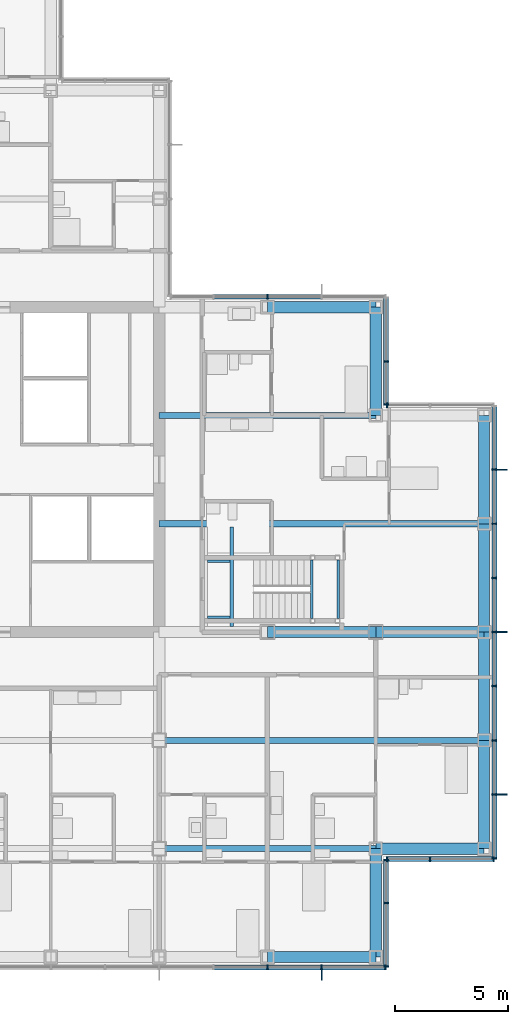
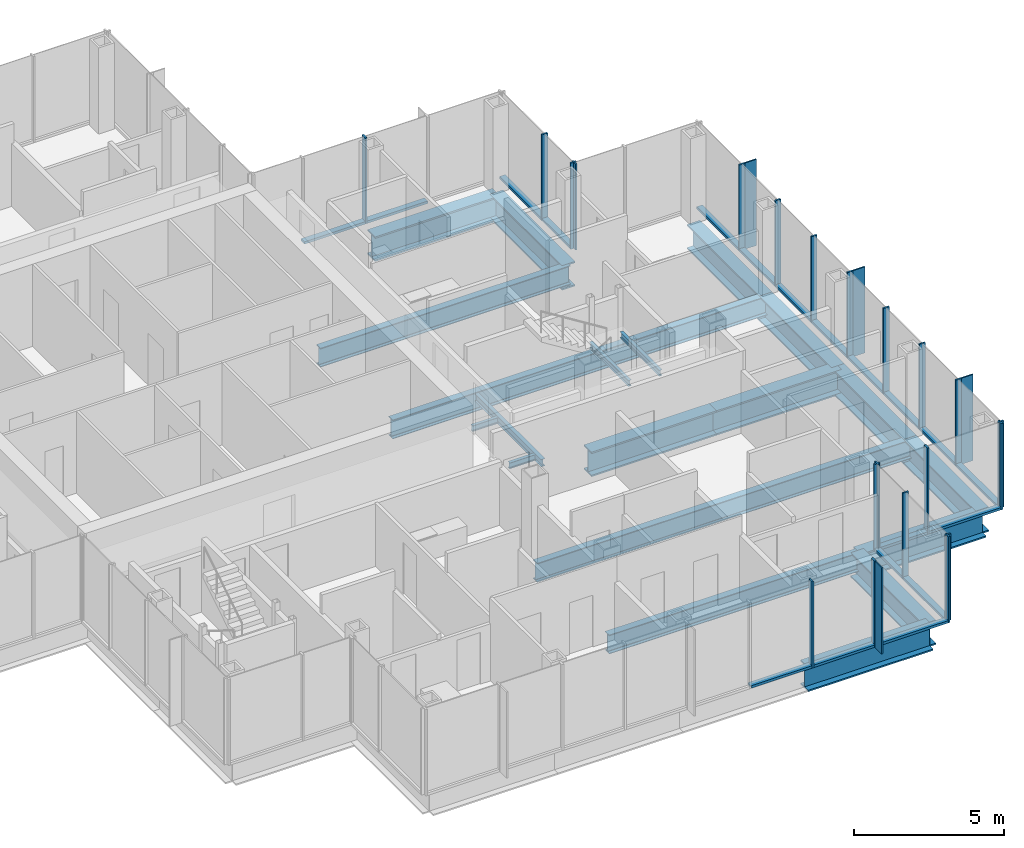
# One storey, part 8 of 20: 44 members, 20 beams, 7 elements without a shape of their own.
"""IFC4 building model written with IfcOpenShell, lengths in metres."""

from ifc_helpers import new_model, si_unit, direction, frame, origin, origin_2d, place, context, subcontext, project, spatial, rectangle, i_section, extrude, material, material_profile, profile_set, type_object, element, aggregate, save


model = new_model("IFC4")

# Units and contexts
model_context = context("Model", 3, precision=1e-05, world=origin(), true_north=direction((0.0, 1.0)))
body_context = subcontext(model_context, "Body", "Model", "MODEL_VIEW")
ifc_project = project(units=[si_unit("LENGTHUNIT", "METRE"), si_unit("AREAUNIT", "SQUARE_METRE"), si_unit("VOLUMEUNIT", "CUBIC_METRE"), si_unit("PLANEANGLEUNIT", "RADIAN"), si_unit("MASSUNIT", "GRAM", prefix="KILO")], contexts=[model_context])

# Site, building, storey
site_placement = place(None, origin())
site = spatial("IfcSite", under=ifc_project, at=site_placement, CompositionType="ELEMENT")
building_placement = place(site_placement, origin())
building = spatial("IfcBuilding", under=site, at=building_placement, Name="Kvirike Care Tower", CompositionType="ELEMENT")
storey_placement = place(building_placement, frame((0.0, 0.0, 122.5)))
storey = spatial("IfcBuildingStorey", under=building, at=storey_placement, Name="L33", CompositionType="ELEMENT", Elevation=122.5)

# Curtain wall, members
ifc_material_1 = material(Name="Anodised aluminium stick system", Category="aluminium")
curtain_wall_type = type_object("IfcCurtainWallType", Name="CW-B STICK CURTAIN WALL", PredefinedType="NOTDEFINED", material=ifc_material_1)
curtain_wall_1_placement = place(storey_placement, origin())
curtain_wall_1 = element("IfcCurtainWall", 1, at=curtain_wall_1_placement, inside=storey, type_object=curtain_wall_type, Name="Curtain wall L33 face 1", PredefinedType="NOTDEFINED")
ifc_material_2 = material(Name="Bronze anodised aluminium fin", Category="aluminium")
ifc_material_profile_1 = material_profile(ifc_material_2, rectangle(XDim=0.050048828125, YDim=0.449951171875, at=origin_2d()), Name="BRONZE FIN 450")
ifc_profile_set_1 = profile_set([ifc_material_profile_1], Name="Bronze anodised aluminium fin")
member_type_1 = type_object("IfcMemberType", Name="BRONZE FIN 450", PredefinedType="USERDEFINED", material=ifc_profile_set_1)
member_1_placement = place(storey_placement, frame((43.9951171875, 21.60009765625, 0.0), z_axis=(0.0, 0.0, 1.0), x_axis=(0.0, 1.0, 0.0)))
member_1 = element("IfcMember", 2, at=member_1_placement, type_object=member_type_1, Name="Bronze fin L33 face 1.2", ObjectType="FIN", PredefinedType="USERDEFINED", context=body_context, shape_type="SweptSolid", body=[
    extrude(rectangle(XDim=0.050048828125, YDim=0.449951171875, at=origin_2d()), origin(), (0.0, 0.0, 1.0), 3.5),
])
member_2_placement = place(storey_placement, frame((43.9951171875, 28.800048828125, 0.0), z_axis=(0.0, 0.0, 1.0), x_axis=(0.0, 1.0, 0.0)))
member_2 = element("IfcMember", 3, at=member_2_placement, type_object=member_type_1, Name="Bronze fin L33 face 1.5", ObjectType="FIN", PredefinedType="USERDEFINED", context=body_context, shape_type="SweptSolid", body=[
    extrude(rectangle(XDim=0.050048828125, YDim=0.449951171875, at=origin_2d()), origin(), (0.0, 0.0, 1.0), 3.5),
])
member_3_placement = place(storey_placement, frame((43.9951171875, 36.0, 0.0), z_axis=(0.0, 0.0, 1.0), x_axis=(0.0, 1.0, 0.0)))
member_3 = element("IfcMember", 4, at=member_3_placement, type_object=member_type_1, Name="Bronze fin L33 face 1.8", ObjectType="FIN", PredefinedType="USERDEFINED", context=body_context, shape_type="SweptSolid", body=[
    extrude(rectangle(XDim=0.050048828125, YDim=0.449951171875, at=origin_2d()), origin(), (0.0, 0.0, 1.0), 3.5),
])

# Curtain wall, member
curtain_wall_2_placement = place(storey_placement, origin())
curtain_wall_2 = element("IfcCurtainWall", 5, at=curtain_wall_2_placement, inside=storey, type_object=curtain_wall_type, Name="Curtain wall L33 face 18", PredefinedType="NOTDEFINED")
member_4_placement = place(storey_placement, frame((36.0, 13.60498046875, 0.0), z_axis=(0.0, 0.0, 1.0), x_axis=(1.0, 0.0, 0.0)))
member_4 = element("IfcMember", 6, at=member_4_placement, type_object=member_type_1, Name="Bronze fin L33 face 18.8", ObjectType="FIN", PredefinedType="USERDEFINED", context=body_context, shape_type="SweptSolid", body=[
    extrude(rectangle(XDim=0.050048828125, YDim=0.449951171875, at=origin_2d()), origin(), (0.0, 0.0, 1.0), 3.5),
])

# Member
ifc_material_3 = material(Name="Bronze anodised aluminium mullion", Category="aluminium")
ifc_material_profile_2 = material_profile(ifc_material_3, rectangle(XDim=0.06494140625, YDim=0.219970703125, at=origin_2d()), Name="CW-B MULLION 65x220")
ifc_profile_set_2 = profile_set([ifc_material_profile_2], Name="Bronze anodised aluminium mullion")
member_type_2 = type_object("IfcMemberType", Name="CW-B MULLION 65x220", PredefinedType="MULLION", material=ifc_profile_set_2)
member_5_placement = place(storey_placement, frame((43.659912109375, 18.7724609375, 0.0), z_axis=(0.0, 0.0, 1.0), x_axis=(0.0, 1.0, 0.0)))
member_5 = element("IfcMember", 7, at=member_5_placement, type_object=member_type_2, Name="CW-B mullion L33 face 1.1", PredefinedType="MULLION", context=body_context, shape_type="SweptSolid", body=[
    extrude(rectangle(XDim=0.06494140625, YDim=0.219970703125, at=origin_2d()), origin(), (0.0, 0.0, 1.0), 3.5),
])

member_6_placement = place(storey_placement, frame((43.659912109375, 21.60009765625, 0.0), z_axis=(0.0, 0.0, 1.0), x_axis=(0.0, 1.0, 0.0)))
member_6 = element("IfcMember", 8, at=member_6_placement, type_object=member_type_2, Name="CW-B mullion L33 face 1.2", PredefinedType="MULLION", context=body_context, shape_type="SweptSolid", body=[
    extrude(rectangle(XDim=0.06494140625, YDim=0.219970703125, at=origin_2d()), origin(), (0.0, 0.0, 1.0), 3.5),
])

member_7_placement = place(storey_placement, frame((43.659912109375, 24.0, 0.0), z_axis=(0.0, 0.0, 1.0), x_axis=(0.0, 1.0, 0.0)))
member_7 = element("IfcMember", 9, at=member_7_placement, type_object=member_type_2, Name="CW-B mullion L33 face 1.3", PredefinedType="MULLION", context=body_context, shape_type="SweptSolid", body=[
    extrude(rectangle(XDim=0.06494140625, YDim=0.219970703125, at=origin_2d()), origin(), (0.0, 0.0, 1.0), 3.5),
])

member_8_placement = place(storey_placement, frame((43.659912109375, 26.39990234375, 0.0), z_axis=(0.0, 0.0, 1.0), x_axis=(0.0, 1.0, 0.0)))
member_8 = element("IfcMember", 10, at=member_8_placement, type_object=member_type_2, Name="CW-B mullion L33 face 1.4", PredefinedType="MULLION", context=body_context, shape_type="SweptSolid", body=[
    extrude(rectangle(XDim=0.06494140625, YDim=0.219970703125, at=origin_2d()), origin(), (0.0, 0.0, 1.0), 3.5),
])

member_9_placement = place(storey_placement, frame((43.659912109375, 28.800048828125, 0.0), z_axis=(0.0, 0.0, 1.0), x_axis=(0.0, 1.0, 0.0)))
member_9 = element("IfcMember", 11, at=member_9_placement, type_object=member_type_2, Name="CW-B mullion L33 face 1.5", PredefinedType="MULLION", context=body_context, shape_type="SweptSolid", body=[
    extrude(rectangle(XDim=0.06494140625, YDim=0.219970703125, at=origin_2d()), origin(), (0.0, 0.0, 1.0), 3.5),
])

member_10_placement = place(storey_placement, frame((43.659912109375, 31.199951171875, 0.0), z_axis=(0.0, 0.0, 1.0), x_axis=(0.0, 1.0, 0.0)))
member_10 = element("IfcMember", 12, at=member_10_placement, type_object=member_type_2, Name="CW-B mullion L33 face 1.6", PredefinedType="MULLION", context=body_context, shape_type="SweptSolid", body=[
    extrude(rectangle(XDim=0.06494140625, YDim=0.219970703125, at=origin_2d()), origin(), (0.0, 0.0, 1.0), 3.5),
])

member_11_placement = place(storey_placement, frame((43.659912109375, 33.60009765625, 0.0), z_axis=(0.0, 0.0, 1.0), x_axis=(0.0, 1.0, 0.0)))
member_11 = element("IfcMember", 13, at=member_11_placement, type_object=member_type_2, Name="CW-B mullion L33 face 1.7", PredefinedType="MULLION", context=body_context, shape_type="SweptSolid", body=[
    extrude(rectangle(XDim=0.06494140625, YDim=0.219970703125, at=origin_2d()), origin(), (0.0, 0.0, 1.0), 3.5),
])

member_12_placement = place(storey_placement, frame((43.659912109375, 36.0, 0.0), z_axis=(0.0, 0.0, 1.0), x_axis=(0.0, 1.0, 0.0)))
member_12 = element("IfcMember", 14, at=member_12_placement, type_object=member_type_2, Name="CW-B mullion L33 face 1.8", PredefinedType="MULLION", context=body_context, shape_type="SweptSolid", body=[
    extrude(rectangle(XDim=0.06494140625, YDim=0.219970703125, at=origin_2d()), origin(), (0.0, 0.0, 1.0), 3.5),
])

# Curtain wall, member
curtain_wall_3_placement = place(storey_placement, origin())
curtain_wall_3 = element("IfcCurtainWall", 15, at=curtain_wall_3_placement, inside=storey, type_object=curtain_wall_type, Name="Curtain wall L33 face 2", PredefinedType="NOTDEFINED")
member_13_placement = place(storey_placement, frame((38.892578125, 38.860107421875, 0.0), z_axis=(0.0, 0.0, 1.0), x_axis=(-1.0, 0.0, 0.0)))
member_13 = element("IfcMember", 16, at=member_13_placement, type_object=member_type_2, Name="CW-B mullion L33 face 2.3", PredefinedType="MULLION", context=body_context, shape_type="SweptSolid", body=[
    extrude(rectangle(XDim=0.06494140625, YDim=0.219970703125, at=origin_2d()), origin(), (0.0, 0.0, 1.0), 3.5),
])
aggregate(curtain_wall_3, [member_13])

# Curtain wall, members
curtain_wall_4_placement = place(storey_placement, origin())
curtain_wall_4 = element("IfcCurtainWall", 17, at=curtain_wall_4_placement, inside=storey, type_object=curtain_wall_type, Name="Curtain wall L33 face 3", PredefinedType="NOTDEFINED")
member_14_placement = place(storey_placement, frame((38.860107421875, 38.892578125, 0.0), z_axis=(0.0, 0.0, 1.0), x_axis=(0.0, 1.0, 0.0)))
member_14 = element("IfcMember", 18, at=member_14_placement, type_object=member_type_2, Name="CW-B mullion L33 face 3.1", PredefinedType="MULLION", context=body_context, shape_type="SweptSolid", body=[
    extrude(rectangle(XDim=0.06494140625, YDim=0.219970703125, at=origin_2d()), origin(), (0.0, 0.0, 1.0), 3.5),
])
member_15_placement = place(storey_placement, frame((38.860107421875, 40.800048828125, 0.0), z_axis=(0.0, 0.0, 1.0), x_axis=(0.0, 1.0, 0.0)))
member_15 = element("IfcMember", 19, at=member_15_placement, type_object=member_type_2, Name="CW-B mullion L33 face 3.2", PredefinedType="MULLION", context=body_context, shape_type="SweptSolid", body=[
    extrude(rectangle(XDim=0.06494140625, YDim=0.219970703125, at=origin_2d()), origin(), (0.0, 0.0, 1.0), 3.5),
])

# Curtain wall, member
curtain_wall_5_placement = place(storey_placement, origin())
curtain_wall_5 = element("IfcCurtainWall", 20, at=curtain_wall_5_placement, inside=storey, type_object=curtain_wall_type, Name="Curtain wall L33 face 4", PredefinedType="NOTDEFINED")
member_16_placement = place(storey_placement, frame((33.60009765625, 43.659912109375, 0.0), z_axis=(0.0, 0.0, 1.0), x_axis=(-1.0, 0.0, 0.0)))
member_16 = element("IfcMember", 21, at=member_16_placement, type_object=member_type_2, Name="CW-B mullion L33 face 4.3", PredefinedType="MULLION", context=body_context, shape_type="SweptSolid", body=[
    extrude(rectangle(XDim=0.06494140625, YDim=0.219970703125, at=origin_2d()), origin(), (0.0, 0.0, 1.0), 3.5),
])

# Member
member_17_placement = place(storey_placement, frame((33.60009765625, 13.93994140625, 0.0), z_axis=(0.0, 0.0, 1.0), x_axis=(1.0, 0.0, 0.0)))
member_17 = element("IfcMember", 22, at=member_17_placement, type_object=member_type_2, Name="CW-B mullion L33 face 18.7", PredefinedType="MULLION", context=body_context, shape_type="SweptSolid", body=[
    extrude(rectangle(XDim=0.06494140625, YDim=0.219970703125, at=origin_2d()), origin(), (0.0, 0.0, 1.0), 3.5),
])

member_18_placement = place(storey_placement, frame((36.0, 13.93994140625, 0.0), z_axis=(0.0, 0.0, 1.0), x_axis=(1.0, 0.0, 0.0)))
member_18 = element("IfcMember", 23, at=member_18_placement, type_object=member_type_2, Name="CW-B mullion L33 face 18.8", PredefinedType="MULLION", context=body_context, shape_type="SweptSolid", body=[
    extrude(rectangle(XDim=0.06494140625, YDim=0.219970703125, at=origin_2d()), origin(), (0.0, 0.0, 1.0), 3.5),
])

member_19_placement = place(storey_placement, frame((38.827392578125, 13.93994140625, 0.0), z_axis=(0.0, 0.0, 1.0), x_axis=(1.0, 0.0, 0.0)))
member_19 = element("IfcMember", 24, at=member_19_placement, type_object=member_type_2, Name="CW-B mullion L33 face 18.9", PredefinedType="MULLION", context=body_context, shape_type="SweptSolid", body=[
    extrude(rectangle(XDim=0.06494140625, YDim=0.219970703125, at=origin_2d()), origin(), (0.0, 0.0, 1.0), 3.5),
])

# Curtain wall, members
curtain_wall_6_placement = place(storey_placement, origin())
curtain_wall_6 = element("IfcCurtainWall", 25, at=curtain_wall_6_placement, inside=storey, type_object=curtain_wall_type, Name="Curtain wall L33 face 19", PredefinedType="NOTDEFINED")
member_20_placement = place(storey_placement, frame((38.860107421875, 13.972412109375, 0.0), z_axis=(0.0, 0.0, 1.0), x_axis=(0.0, 1.0, 0.0)))
member_20 = element("IfcMember", 26, at=member_20_placement, type_object=member_type_2, Name="CW-B mullion L33 face 19.1", PredefinedType="MULLION", context=body_context, shape_type="SweptSolid", body=[
    extrude(rectangle(XDim=0.06494140625, YDim=0.219970703125, at=origin_2d()), origin(), (0.0, 0.0, 1.0), 3.5),
])
member_21_placement = place(storey_placement, frame((38.860107421875, 16.800048828125, 0.0), z_axis=(0.0, 0.0, 1.0), x_axis=(0.0, 1.0, 0.0)))
member_21 = element("IfcMember", 27, at=member_21_placement, type_object=member_type_2, Name="CW-B mullion L33 face 19.2", PredefinedType="MULLION", context=body_context, shape_type="SweptSolid", body=[
    extrude(rectangle(XDim=0.06494140625, YDim=0.219970703125, at=origin_2d()), origin(), (0.0, 0.0, 1.0), 3.5),
])
member_22_placement = place(storey_placement, frame((38.860107421875, 18.70751953125, 0.0), z_axis=(0.0, 0.0, 1.0), x_axis=(0.0, 1.0, 0.0)))
member_22 = element("IfcMember", 28, at=member_22_placement, type_object=member_type_2, Name="CW-B mullion L33 face 19.3", PredefinedType="MULLION", context=body_context, shape_type="SweptSolid", body=[
    extrude(rectangle(XDim=0.06494140625, YDim=0.219970703125, at=origin_2d()), origin(), (0.0, 0.0, 1.0), 3.5),
])

curtain_wall_7_placement = place(storey_placement, origin())
curtain_wall_7 = element("IfcCurtainWall", 29, at=curtain_wall_7_placement, inside=storey, type_object=curtain_wall_type, Name="Curtain wall L33 face 20", PredefinedType="NOTDEFINED")
member_23_placement = place(storey_placement, frame((38.892578125, 18.739990234375, 0.0), z_axis=(0.0, 0.0, 1.0), x_axis=(1.0, 0.0, 0.0)))
member_23 = element("IfcMember", 30, at=member_23_placement, type_object=member_type_2, Name="CW-B mullion L33 face 20.1", PredefinedType="MULLION", context=body_context, shape_type="SweptSolid", body=[
    extrude(rectangle(XDim=0.06494140625, YDim=0.219970703125, at=origin_2d()), origin(), (0.0, 0.0, 1.0), 3.5),
])
member_24_placement = place(storey_placement, frame((40.800048828125, 18.739990234375, 0.0), z_axis=(0.0, 0.0, 1.0), x_axis=(1.0, 0.0, 0.0)))
member_24 = element("IfcMember", 31, at=member_24_placement, type_object=member_type_2, Name="CW-B mullion L33 face 20.2", PredefinedType="MULLION", context=body_context, shape_type="SweptSolid", body=[
    extrude(rectangle(XDim=0.06494140625, YDim=0.219970703125, at=origin_2d()), origin(), (0.0, 0.0, 1.0), 3.5),
])
member_25_placement = place(storey_placement, frame((43.62744140625, 18.739990234375, 0.0), z_axis=(0.0, 0.0, 1.0), x_axis=(1.0, 0.0, 0.0)))
member_25 = element("IfcMember", 32, at=member_25_placement, type_object=member_type_2, Name="CW-B mullion L33 face 20.3", PredefinedType="MULLION", context=body_context, shape_type="SweptSolid", body=[
    extrude(rectangle(XDim=0.06494140625, YDim=0.219970703125, at=origin_2d()), origin(), (0.0, 0.0, 1.0), 3.5),
])

# Member
ifc_material_4 = material(Name="Bronze anodised aluminium transom", Category="aluminium")
ifc_material_profile_3 = material_profile(ifc_material_4, rectangle(XDim=0.219970703125, YDim=0.10009765625, at=origin_2d()), Name="CW-B TRANSOM 220x100")
ifc_profile_set_3 = profile_set([ifc_material_profile_3], Name="Bronze anodised aluminium transom")
member_type_3 = type_object("IfcMemberType", Name="CW-B TRANSOM 220x100", PredefinedType="USERDEFINED", material=ifc_profile_set_3)
member_26_placement = place(storey_placement, frame((43.659912109375, 18.804931640625, 0.050048828125), z_axis=(0.0, 1.0, 0.0), x_axis=(-1.0, 0.0, 0.0)))
member_26 = element("IfcMember", 33, at=member_26_placement, type_object=member_type_3, Name="CW-B sill transom L33 face 1.1", ObjectType="TRANSOM", PredefinedType="USERDEFINED", context=body_context, shape_type="SweptSolid", body=[
    extrude(rectangle(XDim=0.219970703125, YDim=0.10009765625, at=origin_2d()), origin(), (0.0, 0.0, 1.0), 2.762451171875),
])

member_27_placement = place(storey_placement, frame((43.659912109375, 21.632568359375, 0.050048828125), z_axis=(0.0, 1.0, 0.0), x_axis=(-1.0, 0.0, 0.0)))
member_27 = element("IfcMember", 34, at=member_27_placement, type_object=member_type_3, Name="CW-B sill transom L33 face 1.2", ObjectType="TRANSOM", PredefinedType="USERDEFINED", context=body_context, shape_type="SweptSolid", body=[
    extrude(rectangle(XDim=0.219970703125, YDim=0.10009765625, at=origin_2d()), origin(), (0.0, 0.0, 1.0), 2.3349609375),
])

member_28_placement = place(storey_placement, frame((43.659912109375, 24.032470703125, 0.050048828125), z_axis=(0.0, 1.0, 0.0), x_axis=(-1.0, 0.0, 0.0)))
member_28 = element("IfcMember", 35, at=member_28_placement, type_object=member_type_3, Name="CW-B sill transom L33 face 1.3", ObjectType="TRANSOM", PredefinedType="USERDEFINED", context=body_context, shape_type="SweptSolid", body=[
    extrude(rectangle(XDim=0.219970703125, YDim=0.10009765625, at=origin_2d()), origin(), (0.0, 0.0, 1.0), 2.3349609375),
])

member_29_placement = place(storey_placement, frame((43.659912109375, 26.4326171875, 0.050048828125), z_axis=(0.0, 1.0, 0.0), x_axis=(-1.0, 0.0, 0.0)))
member_29 = element("IfcMember", 36, at=member_29_placement, type_object=member_type_3, Name="CW-B sill transom L33 face 1.4", ObjectType="TRANSOM", PredefinedType="USERDEFINED", context=body_context, shape_type="SweptSolid", body=[
    extrude(rectangle(XDim=0.219970703125, YDim=0.10009765625, at=origin_2d()), origin(), (0.0, 0.0, 1.0), 2.3349609375),
])

member_30_placement = place(storey_placement, frame((43.659912109375, 28.83251953125, 0.050048828125), z_axis=(0.0, 1.0, 0.0), x_axis=(-1.0, 0.0, 0.0)))
member_30 = element("IfcMember", 37, at=member_30_placement, type_object=member_type_3, Name="CW-B sill transom L33 face 1.5", ObjectType="TRANSOM", PredefinedType="USERDEFINED", context=body_context, shape_type="SweptSolid", body=[
    extrude(rectangle(XDim=0.219970703125, YDim=0.10009765625, at=origin_2d()), origin(), (0.0, 0.0, 1.0), 2.3349609375),
])

member_31_placement = place(storey_placement, frame((43.659912109375, 31.232421875, 0.050048828125), z_axis=(0.0, 1.0, 0.0), x_axis=(-1.0, 0.0, 0.0)))
member_31 = element("IfcMember", 38, at=member_31_placement, type_object=member_type_3, Name="CW-B sill transom L33 face 1.6", ObjectType="TRANSOM", PredefinedType="USERDEFINED", context=body_context, shape_type="SweptSolid", body=[
    extrude(rectangle(XDim=0.219970703125, YDim=0.10009765625, at=origin_2d()), origin(), (0.0, 0.0, 1.0), 2.3349609375),
])

member_32_placement = place(storey_placement, frame((43.659912109375, 33.632568359375, 0.050048828125), z_axis=(0.0, 1.0, 0.0), x_axis=(-1.0, 0.0, 0.0)))
member_32 = element("IfcMember", 39, at=member_32_placement, type_object=member_type_3, Name="CW-B sill transom L33 face 1.7", ObjectType="TRANSOM", PredefinedType="USERDEFINED", context=body_context, shape_type="SweptSolid", body=[
    extrude(rectangle(XDim=0.219970703125, YDim=0.10009765625, at=origin_2d()), origin(), (0.0, 0.0, 1.0), 2.3349609375),
])

member_33_placement = place(storey_placement, frame((43.659912109375, 36.032470703125, 0.050048828125), z_axis=(0.0, 1.0, 0.0), x_axis=(-1.0, 0.0, 0.0)))
member_33 = element("IfcMember", 40, at=member_33_placement, type_object=member_type_3, Name="CW-B sill transom L33 face 1.8", ObjectType="TRANSOM", PredefinedType="USERDEFINED", context=body_context, shape_type="SweptSolid", body=[
    extrude(rectangle(XDim=0.219970703125, YDim=0.10009765625, at=origin_2d()), origin(), (0.0, 0.0, 1.0), 2.762451171875),
])

aggregate(curtain_wall_1, [member_5, member_6, member_1, member_7, member_8, member_9, member_2, member_10, member_11, member_12, member_3, member_26, member_27, member_28, member_29, member_30, member_31, member_32, member_33])

member_34_placement = place(storey_placement, frame((38.860107421875, 38.925048828125, 0.050048828125), z_axis=(0.0, 1.0, 0.0), x_axis=(-1.0, 0.0, 0.0)))
member_34 = element("IfcMember", 41, at=member_34_placement, type_object=member_type_3, Name="CW-B sill transom L33 face 3.1", ObjectType="TRANSOM", PredefinedType="USERDEFINED", context=body_context, shape_type="SweptSolid", body=[
    extrude(rectangle(XDim=0.219970703125, YDim=0.10009765625, at=origin_2d()), origin(), (0.0, 0.0, 1.0), 1.842529296875),
])

member_35_placement = place(storey_placement, frame((38.860107421875, 40.83251953125, 0.050048828125), z_axis=(0.0, 1.0, 0.0), x_axis=(-1.0, 0.0, 0.0)))
member_35 = element("IfcMember", 42, at=member_35_placement, type_object=member_type_3, Name="CW-B sill transom L33 face 3.2", ObjectType="TRANSOM", PredefinedType="USERDEFINED", context=body_context, shape_type="SweptSolid", body=[
    extrude(rectangle(XDim=0.219970703125, YDim=0.10009765625, at=origin_2d()), origin(), (0.0, 0.0, 1.0), 2.762451171875),
])

aggregate(curtain_wall_4, [member_14, member_15, member_34, member_35])

member_36_placement = place(storey_placement, frame((35.967529296875, 43.659912109375, 0.050048828125), z_axis=(-1.0, 0.0, 0.0), x_axis=(0.0, -1.0, 0.0)))
member_36 = element("IfcMember", 43, at=member_36_placement, type_object=member_type_3, Name="CW-B sill transom L33 face 4.2", ObjectType="TRANSOM", PredefinedType="USERDEFINED", context=body_context, shape_type="SweptSolid", body=[
    extrude(rectangle(XDim=0.219970703125, YDim=0.10009765625, at=origin_2d()), origin(), (0.0, 0.0, 1.0), 2.3349609375),
])

member_37_placement = place(storey_placement, frame((33.5673828125, 43.659912109375, 0.050048828125), z_axis=(-1.0, 0.0, 0.0), x_axis=(0.0, -1.0, 0.0)))
member_37 = element("IfcMember", 44, at=member_37_placement, type_object=member_type_3, Name="CW-B sill transom L33 face 4.3", ObjectType="TRANSOM", PredefinedType="USERDEFINED", context=body_context, shape_type="SweptSolid", body=[
    extrude(rectangle(XDim=0.219970703125, YDim=0.10009765625, at=origin_2d()), origin(), (0.0, 0.0, 1.0), 2.3349609375),
])

aggregate(curtain_wall_5, [member_16, member_36, member_37])

member_38_placement = place(storey_placement, frame((31.232421875, 13.93994140625, 0.050048828125), z_axis=(1.0, 0.0, 0.0), x_axis=(0.0, 1.0, 0.0)))
member_38 = element("IfcMember", 45, at=member_38_placement, type_object=member_type_3, Name="CW-B sill transom L33 face 18.6", ObjectType="TRANSOM", PredefinedType="USERDEFINED", context=body_context, shape_type="SweptSolid", body=[
    extrude(rectangle(XDim=0.219970703125, YDim=0.10009765625, at=origin_2d()), origin(), (0.0, 0.0, 1.0), 2.3349609375),
])

member_39_placement = place(storey_placement, frame((33.632568359375, 13.93994140625, 0.050048828125), z_axis=(1.0, 0.0, 0.0), x_axis=(0.0, 1.0, 0.0)))
member_39 = element("IfcMember", 46, at=member_39_placement, type_object=member_type_3, Name="CW-B sill transom L33 face 18.7", ObjectType="TRANSOM", PredefinedType="USERDEFINED", context=body_context, shape_type="SweptSolid", body=[
    extrude(rectangle(XDim=0.219970703125, YDim=0.10009765625, at=origin_2d()), origin(), (0.0, 0.0, 1.0), 2.3349609375),
])

member_40_placement = place(storey_placement, frame((36.032470703125, 13.93994140625, 0.050048828125), z_axis=(1.0, 0.0, 0.0), x_axis=(0.0, 1.0, 0.0)))
member_40 = element("IfcMember", 47, at=member_40_placement, type_object=member_type_3, Name="CW-B sill transom L33 face 18.8", ObjectType="TRANSOM", PredefinedType="USERDEFINED", context=body_context, shape_type="SweptSolid", body=[
    extrude(rectangle(XDim=0.219970703125, YDim=0.10009765625, at=origin_2d()), origin(), (0.0, 0.0, 1.0), 2.762451171875),
])

aggregate(curtain_wall_2, [member_17, member_18, member_4, member_19, member_38, member_39, member_40])

member_41_placement = place(storey_placement, frame((38.860107421875, 14.0048828125, 0.050048828125), z_axis=(0.0, 1.0, 0.0), x_axis=(-1.0, 0.0, 0.0)))
member_41 = element("IfcMember", 48, at=member_41_placement, type_object=member_type_3, Name="CW-B sill transom L33 face 19.1", ObjectType="TRANSOM", PredefinedType="USERDEFINED", context=body_context, shape_type="SweptSolid", body=[
    extrude(rectangle(XDim=0.219970703125, YDim=0.10009765625, at=origin_2d()), origin(), (0.0, 0.0, 1.0), 2.7626953125),
])

member_42_placement = place(storey_placement, frame((38.860107421875, 16.83251953125, 0.050048828125), z_axis=(0.0, 1.0, 0.0), x_axis=(-1.0, 0.0, 0.0)))
member_42 = element("IfcMember", 49, at=member_42_placement, type_object=member_type_3, Name="CW-B sill transom L33 face 19.2", ObjectType="TRANSOM", PredefinedType="USERDEFINED", context=body_context, shape_type="SweptSolid", body=[
    extrude(rectangle(XDim=0.219970703125, YDim=0.10009765625, at=origin_2d()), origin(), (0.0, 0.0, 1.0), 1.842529296875),
])

aggregate(curtain_wall_6, [member_20, member_21, member_22, member_41, member_42])

member_43_placement = place(storey_placement, frame((38.925048828125, 18.739990234375, 0.050048828125), z_axis=(1.0, 0.0, 0.0), x_axis=(0.0, 1.0, 0.0)))
member_43 = element("IfcMember", 50, at=member_43_placement, type_object=member_type_3, Name="CW-B sill transom L33 face 20.1", ObjectType="TRANSOM", PredefinedType="USERDEFINED", context=body_context, shape_type="SweptSolid", body=[
    extrude(rectangle(XDim=0.219970703125, YDim=0.10009765625, at=origin_2d()), origin(), (0.0, 0.0, 1.0), 1.842529296875),
])

member_44_placement = place(storey_placement, frame((40.83251953125, 18.739990234375, 0.050048828125), z_axis=(1.0, 0.0, 0.0), x_axis=(0.0, 1.0, 0.0)))
member_44 = element("IfcMember", 51, at=member_44_placement, type_object=member_type_3, Name="CW-B sill transom L33 face 20.2", ObjectType="TRANSOM", PredefinedType="USERDEFINED", context=body_context, shape_type="SweptSolid", body=[
    extrude(rectangle(XDim=0.219970703125, YDim=0.10009765625, at=origin_2d()), origin(), (0.0, 0.0, 1.0), 2.762451171875),
])

aggregate(curtain_wall_7, [member_23, member_24, member_25, member_43, member_44])

# Beams
ifc_material_5 = material(Name="Steel S355", Category="steel")
ifc_material_profile_4 = material_profile(ifc_material_5, i_section(OverallWidth=0.26806640625, OverallDepth=0.77001953125, WebThickness=0.015625, FlangeThickness=0.025390625, FilletRadius=0.01708984375, at=origin_2d()), Name="IPE 750x196")
ifc_profile_set_4 = profile_set([ifc_material_profile_4], Name="Steel S355")
beam_type_1 = type_object("IfcBeamType", Name="FLOOR BEAM IPE 750x196", PredefinedType="BEAM", material=ifc_profile_set_4)
beam_1_placement = place(storey_placement, frame((28.800048828125, 19.199951171875, -0.554931640625), z_axis=(1.0, 0.0, 0.0), x_axis=(0.0, 1.0, 0.0)))
element("IfcBeam", 52, at=beam_1_placement, inside=storey, type_object=beam_type_1, Name="Floor Beam E9-E11 L33", PredefinedType="BEAM", context=body_context, shape_type="SweptSolid", body=[
    extrude(i_section(OverallWidth=0.26806640625, OverallDepth=0.77001953125, WebThickness=0.015625, FlangeThickness=0.025390625, FilletRadius=0.01708984375, at=origin_2d()), origin(), (0.0, 0.0, 1.0), 9.599853515625),
])
for number, where, z_axis, x_axis, name in (
    (53, (28.800048828125, 24.0, -0.554931640625), (1.0, 0.0, 0.0), (0.0, 1.0, 0.0), "Floor Beam F9-F12 L33"),
    (54, (28.800048828125, 33.60009765625, -0.554931640625), (1.0, 0.0, 0.0), (0.0, 1.0, 0.0), "Floor Beam H9-H12 L33"),
):
    element("IfcBeam", number, at=place(storey_placement, frame(where, z_axis=z_axis, x_axis=x_axis)), inside=storey, type_object=beam_type_1, Name=name, PredefinedType="BEAM", context=body_context, shape_type="SweptSolid", body=[
        extrude(i_section(OverallWidth=0.26806640625, OverallDepth=0.77001953125, WebThickness=0.015625, FlangeThickness=0.025390625, FilletRadius=0.01708984375, at=origin_2d()), origin(), (0.0, 0.0, 1.0), 14.39990234375),
    ])
beam_2_placement = place(storey_placement, frame((28.800048828125, 38.39990234375, -0.554931640625), z_axis=(1.0, 0.0, 0.0), x_axis=(0.0, 1.0, 0.0)))
element("IfcBeam", 55, at=beam_2_placement, inside=storey, type_object=beam_type_1, Name="Floor Beam J9-J11 L33", PredefinedType="BEAM", context=body_context, shape_type="SweptSolid", body=[
    extrude(i_section(OverallWidth=0.26806640625, OverallDepth=0.77001953125, WebThickness=0.015625, FlangeThickness=0.025390625, FilletRadius=0.01708984375, at=origin_2d()), origin(), (0.0, 0.0, 1.0), 9.599853515625),
])
ifc_material_6 = material(Name="Steel S355", Category="steel")
ifc_material_profile_5 = material_profile(ifc_material_6, i_section(OverallWidth=0.5, OverallDepth=1.0, WebThickness=0.030029296875, FlangeThickness=0.06005859375, at=origin_2d()), Name="PG 1000x500x30x60")
ifc_profile_set_5 = profile_set([ifc_material_profile_5], Name="Steel S355")
beam_type_2 = type_object("IfcBeamType", Name="FRAME BEAM PG 1000x500x30x60", PredefinedType="BEAM", material=ifc_profile_set_5)
beam_3_placement = place(storey_placement, frame((33.60009765625, 28.800048828125, -0.669921875), z_axis=(1.0, 0.0, 0.0), x_axis=(0.0, 1.0, 0.0)))
element("IfcBeam", 56, at=beam_3_placement, inside=storey, type_object=beam_type_2, Name="Frame Beam G10-G11 L33", PredefinedType="BEAM", context=body_context, shape_type="SweptSolid", body=[
    extrude(i_section(OverallWidth=0.5, OverallDepth=1.0, WebThickness=0.030029296875, FlangeThickness=0.06005859375, at=origin_2d()), origin(), (0.0, 0.0, 1.0), 4.7998046875),
])
beam_4_placement = place(storey_placement, frame((38.39990234375, 28.800048828125, -0.669921875), z_axis=(1.0, 0.0, 0.0), x_axis=(0.0, 1.0, 0.0)))
element("IfcBeam", 57, at=beam_4_placement, inside=storey, type_object=beam_type_2, Name="Frame Beam G11-G12 L33", PredefinedType="BEAM", context=body_context, shape_type="SweptSolid", body=[
    extrude(i_section(OverallWidth=0.5, OverallDepth=1.0, WebThickness=0.030029296875, FlangeThickness=0.06005859375, at=origin_2d()), origin(), (0.0, 0.0, 1.0), 4.800048828125),
])
ifc_material_7 = material(Name="Steel S355", Category="steel")
ifc_material_profile_6 = material_profile(ifc_material_7, i_section(OverallWidth=0.5, OverallDepth=1.0, WebThickness=0.030029296875, FlangeThickness=0.06005859375, at=origin_2d()), Name="PG 1000x500x30x60")
ifc_profile_set_6 = profile_set([ifc_material_profile_6], Name="Steel S355")
beam_type_3 = type_object("IfcBeamType", Name="SPANDREL PG 1000x500x30x60", PredefinedType="SPANDREL", material=ifc_profile_set_6)
beam_5_placement = place(storey_placement, frame((33.60009765625, 14.39990234375, -0.669921875), z_axis=(1.0, 0.0, 0.0), x_axis=(0.0, 1.0, 0.0)))
element("IfcBeam", 58, at=beam_5_placement, inside=storey, type_object=beam_type_3, Name="Spandrel D10-D11 L33", PredefinedType="SPANDREL", context=body_context, shape_type="SweptSolid", body=[
    extrude(i_section(OverallWidth=0.5, OverallDepth=1.0, WebThickness=0.030029296875, FlangeThickness=0.06005859375, at=origin_2d()), origin(), (0.0, 0.0, 1.0), 4.7998046875),
])
beam_6_placement = place(storey_placement, frame((38.39990234375, 19.199951171875, -0.669921875), z_axis=(1.0, 0.0, 0.0), x_axis=(0.0, 1.0, 0.0)))
element("IfcBeam", 59, at=beam_6_placement, inside=storey, type_object=beam_type_3, Name="Spandrel E11-E12 L33", PredefinedType="SPANDREL", context=body_context, shape_type="SweptSolid", body=[
    extrude(i_section(OverallWidth=0.5, OverallDepth=1.0, WebThickness=0.030029296875, FlangeThickness=0.06005859375, at=origin_2d()), origin(), (0.0, 0.0, 1.0), 4.800048828125),
])
beam_7_placement = place(storey_placement, frame((33.60009765625, 43.199951171875, -0.669921875), z_axis=(1.0, 0.0, 0.0), x_axis=(0.0, 1.0, 0.0)))
element("IfcBeam", 60, at=beam_7_placement, inside=storey, type_object=beam_type_3, Name="Spandrel K10-K11 L33", PredefinedType="SPANDREL", context=body_context, shape_type="SweptSolid", body=[
    extrude(i_section(OverallWidth=0.5, OverallDepth=1.0, WebThickness=0.030029296875, FlangeThickness=0.06005859375, at=origin_2d()), origin(), (0.0, 0.0, 1.0), 4.7998046875),
])
for number, where, z_axis, x_axis, name in (
    (61, (38.39990234375, 14.39990234375, -0.669921875), (0.0, 1.0, 0.0), (-1.0, 0.0, 0.0), "Spandrel D11-E11 L33"),
    (62, (38.39990234375, 38.39990234375, -0.669921875), (0.0, 1.0, 0.0), (-1.0, 0.0, 0.0), "Spandrel J11-K11 L33"),
    (63, (43.199951171875, 19.199951171875, -0.669921875), (0.0, 1.0, 0.0), (-1.0, 0.0, 0.0), "Spandrel E12-F12 L33"),
    (64, (43.199951171875, 24.0, -0.669921875), (0.0, 1.0, 0.0), (-1.0, 0.0, 0.0), "Spandrel F12-G12 L33"),
    (65, (43.199951171875, 28.800048828125, -0.669921875), (0.0, 1.0, 0.0), (-1.0, 0.0, 0.0), "Spandrel G12-H12 L33"),
):
    element("IfcBeam", number, at=place(storey_placement, frame(where, z_axis=z_axis, x_axis=x_axis)), inside=storey, type_object=beam_type_3, Name=name, PredefinedType="SPANDREL", context=body_context, shape_type="SweptSolid", body=[
        extrude(i_section(OverallWidth=0.5, OverallDepth=1.0, WebThickness=0.030029296875, FlangeThickness=0.06005859375, at=origin_2d()), origin(), (0.0, 0.0, 1.0), 4.800048828125),
    ])
beam_8_placement = place(storey_placement, frame((43.199951171875, 33.60009765625, -0.669921875), z_axis=(0.0, 1.0, 0.0), x_axis=(-1.0, 0.0, 0.0)))
element("IfcBeam", 66, at=beam_8_placement, inside=storey, type_object=beam_type_3, Name="Spandrel H12-J12 L33", PredefinedType="SPANDREL", context=body_context, shape_type="SweptSolid", body=[
    extrude(i_section(OverallWidth=0.5, OverallDepth=1.0, WebThickness=0.030029296875, FlangeThickness=0.06005859375, at=origin_2d()), origin(), (0.0, 0.0, 1.0), 4.7998046875),
])
ifc_material_8 = material(Name="Steel S355", Category="steel")
ifc_material_profile_7 = material_profile(ifc_material_8, i_section(OverallWidth=0.1201171875, OverallDepth=0.239990234375, WebThickness=0.006103515625, FlangeThickness=0.009765625, FilletRadius=0.014892578125, at=origin_2d()), Name="IPE 240")
ifc_profile_set_7 = profile_set([ifc_material_profile_7], Name="Steel S355")
beam_type_4 = type_object("IfcBeamType", Name="STAIR LANDING BEAM IPE 240", PredefinedType="BEAM", material=ifc_profile_set_7)
for number, where, z_axis, x_axis, name in (
    (67, (36.739990234375, 29.39990234375, 1.429931640625), (0.0, 1.0, 0.0), (-1.0, 0.0, 0.0), "Stair 2 landing beam back L33"),
    (68, (35.56005859375, 29.39990234375, 1.429931640625), (0.0, 1.0, 0.0), (-1.0, 0.0, 0.0), "Stair 2 landing beam front L33"),
):
    element("IfcBeam", number, at=place(storey_placement, frame(where, z_axis=z_axis, x_axis=x_axis)), inside=storey, type_object=beam_type_4, Name=name, PredefinedType="BEAM", context=body_context, shape_type="SweptSolid", body=[
        extrude(i_section(OverallWidth=0.1201171875, OverallDepth=0.239990234375, WebThickness=0.006103515625, FlangeThickness=0.009765625, FilletRadius=0.014892578125, at=origin_2d()), origin(), (0.0, 0.0, 1.0), 2.60009765625),
    ])
for number, where, z_axis, x_axis, name in (
    (69, (31.949951171875, 29.4599609375, -0.320068359375), (-1.0, 0.0, 0.0), (0.0, -1.0, 0.0), "Stair 2 landing edge beam 1 L33"),
    (70, (31.949951171875, 31.93994140625, -0.320068359375), (-1.0, 0.0, 0.0), (0.0, -1.0, 0.0), "Stair 2 landing edge beam 2 L33"),
):
    element("IfcBeam", number, at=place(storey_placement, frame(where, z_axis=z_axis, x_axis=x_axis)), inside=storey, type_object=beam_type_4, Name=name, PredefinedType="BEAM", context=body_context, shape_type="SweptSolid", body=[
        extrude(i_section(OverallWidth=0.1201171875, OverallDepth=0.239990234375, WebThickness=0.006103515625, FlangeThickness=0.009765625, FilletRadius=0.014892578125, at=origin_2d()), origin(), (0.0, 0.0, 1.0), 1.0),
    ])
ifc_material_9 = material(Name="Steel S355", Category="steel")
ifc_material_profile_8 = material_profile(ifc_material_9, i_section(OverallWidth=0.14990234375, OverallDepth=0.300048828125, WebThickness=0.007080078125, FlangeThickness=0.0107421875, FilletRadius=0.014892578125, at=origin_2d()), Name="IPE 300")
ifc_profile_set_8 = profile_set([ifc_material_profile_8], Name="Steel S355")
beam_type_5 = type_object("IfcBeamType", Name="STAIR TRIMMER IPE 300", PredefinedType="BEAM", material=ifc_profile_set_8)
beam_9_placement = place(storey_placement, frame((32.02490234375, 29.050048828125, -0.35009765625), z_axis=(0.0, 1.0, 0.0), x_axis=(-1.0, 0.0, 0.0)))
element("IfcBeam", 71, at=beam_9_placement, inside=storey, type_object=beam_type_5, Name="Stair 2 trimmer 1 L33", PredefinedType="BEAM", context=body_context, shape_type="SweptSolid", body=[
    extrude(i_section(OverallWidth=0.14990234375, OverallDepth=0.300048828125, WebThickness=0.007080078125, FlangeThickness=0.0107421875, FilletRadius=0.014892578125, at=origin_2d()), origin(), (0.0, 0.0, 1.0), 4.416015625),
])

save(model, "model.ifc")
